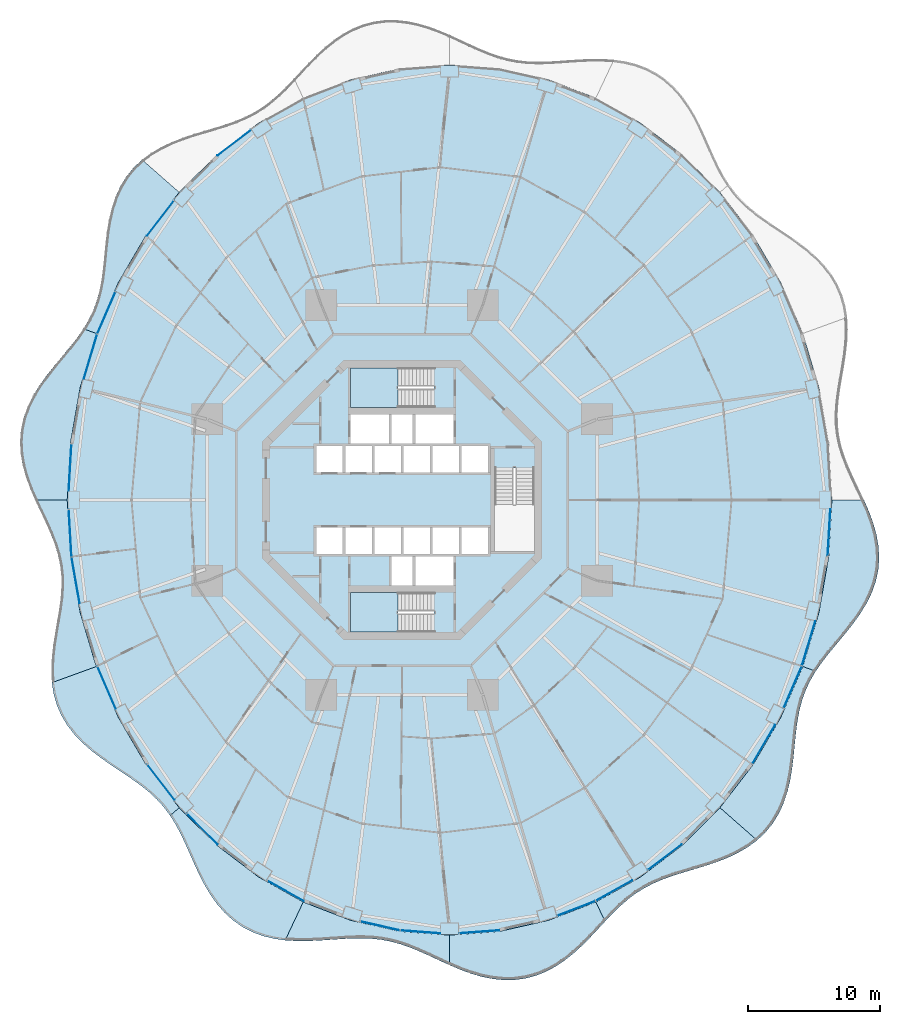
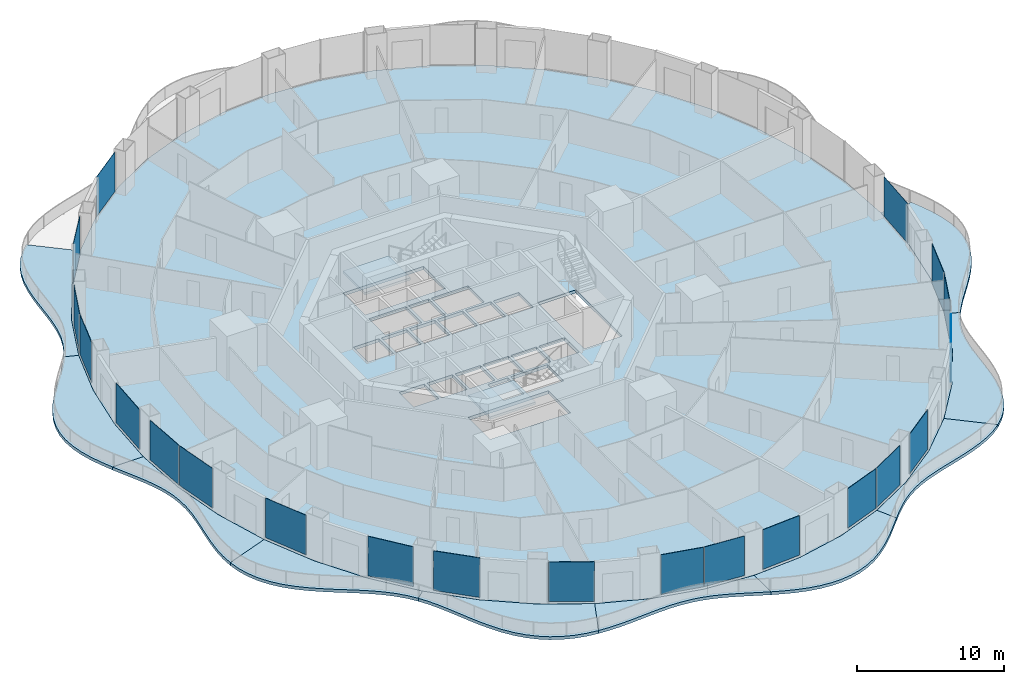
# One storey, part 12 of 22: 21 plates, 13 slabs, 23 elements without a shape of their own.
"""IFC4 building model written with IfcOpenShell, lengths in metres."""

from ifc_helpers import new_model, si_unit, direction, frame, origin, origin_2d, place, context, subcontext, project, spatial, polyline, rectangle, outline, extrude, material, layer, layer_set, type_object, element, aggregate, save


model = new_model("IFC4")

# Units and contexts
model_context = context("Model", 3, precision=1e-05, world=origin(), true_north=direction((0.0, 1.0)))
body_context = subcontext(model_context, "Body", "Model", "MODEL_VIEW")
ifc_project = project(units=[si_unit("LENGTHUNIT", "METRE"), si_unit("AREAUNIT", "SQUARE_METRE"), si_unit("VOLUMEUNIT", "CUBIC_METRE"), si_unit("PLANEANGLEUNIT", "RADIAN"), si_unit("MASSUNIT", "GRAM", prefix="KILO")], contexts=[model_context])

# Site, building, storey
site_placement = place(None, origin())
site = spatial("IfcSite", under=ifc_project, at=site_placement, CompositionType="ELEMENT")
building_placement = place(site_placement, origin())
building = spatial("IfcBuilding", under=site, at=building_placement, Name="Nagisa Residences", CompositionType="ELEMENT")
storey_placement = place(building_placement, frame((0.0, 0.0, 38.10009765625)))
storey = spatial("IfcBuildingStorey", under=building, at=storey_placement, Name="L08", CompositionType="ELEMENT", Elevation=38.10009765625)

# Slabs
ifc_material_1 = material(Name="Concrete C40/50", Category="concrete")
ifc_layer_1 = layer(ifc_material_1, 0.25)
ifc_layer_set_1 = layer_set([ifc_layer_1], Name="BALCONY SLAB 250")
slab_type_1 = type_object("IfcSlabType", Name="BALCONY SLAB 250", PredefinedType="FLOOR", material=ifc_layer_set_1)
slab_1_placement = place(storey_placement, frame((0.0, 0.0, -0.25)))
element("IfcSlab", 1, at=slab_1_placement, inside=storey, type_object=slab_type_1, Name="slab:L08:bal06", PredefinedType="FLOOR", context=body_context, shape_type="SweptSolid", body=[
    extrude(outline(polyline([(-19.719970703125, 25.807373046875), (-20.359375, 25.20361328125), (-20.9111328125, 24.52490234375), (-21.370849609375, 23.77734375), (-21.739501953125, 22.97021484375), (-22.022705078125, 22.11572265625), (-22.2314453125, 21.227783203125), (-22.381103515625, 20.321044921875), (-22.48974609375, 19.409912109375), (-22.578369140625, 18.507568359375), (-22.668212890625, 17.625), (-22.77978515625, 16.770263671875), (-22.931884765625, 15.94873046875), (-23.138916015625, 15.161865234375), (-23.411865234375, 14.40869140625), (-23.75537109375, 13.684814453125), (-24.169189453125, 12.984130859375), (-23.192626953125, 12.628662109375), (-21.5146484375, 16.5), (-19.4072265625, 20.089111328125), (-16.906005859375, 23.33447265625), (-19.719970703125, 25.807373046875)])), origin(), (0.0, 0.0, 1.0), 0.25),
])
slab_2_placement = place(storey_placement, frame((0.0, 0.0, -0.25)))
element("IfcSlab", 2, at=slab_2_placement, inside=storey, type_object=slab_type_1, Name="slab:L08:bal07", PredefinedType="FLOOR", context=body_context, shape_type="SweptSolid", body=[
    extrude(outline(polyline([(-24.169189453125, 12.984130859375), (-24.66259765625, 12.2763671875), (-25.210693359375, 11.57470703125), (-25.794921875, 10.869140625), (-26.392333984375, 10.150634765625), (-26.978515625, 9.41162109375), (-27.527099609375, 8.64697265625), (-28.013916015625, 7.853759765625), (-28.41650390625, 7.031982421875), (-28.718017578125, 6.183837890625), (-28.906005859375, 5.313720703125), (-28.975830078125, 4.427734375), (-28.928466796875, 3.532958984375), (-28.77294921875, 2.63671875), (-28.523681640625, 1.745849609375), (-28.200927734375, 0.865478515625), (-27.82861328125, 0.0), (-25.39990234375, 0.0), (-25.15185546875, 4.307373046875), (-24.411865234375, 8.541015625), (-23.192626953125, 12.628662109375), (-24.169189453125, 12.984130859375)])), origin(), (0.0, 0.0, 1.0), 0.25),
])
slab_3_placement = place(storey_placement, frame((0.0, 0.0, -0.25)))
element("IfcSlab", 3, at=slab_3_placement, inside=storey, type_object=slab_type_1, Name="slab:L08:bal08", PredefinedType="FLOOR", context=body_context, shape_type="SweptSolid", body=[
    extrude(outline(polyline([(-27.82861328125, 0.0), (-27.432373046875, -0.84912109375), (-27.0390625, -1.681884765625), (-26.67333984375, -2.50146484375), (-26.357421875, -3.3115234375), (-26.107666015625, -4.118408203125), (-25.935302734375, -4.92822265625), (-25.844970703125, -5.747802734375), (-25.833984375, -6.58251953125), (-25.892822265625, -7.43701171875), (-26.00634765625, -8.3134765625), (-26.154296875, -9.2119140625), (-26.31298828125, -10.12939453125), (-26.45654296875, -11.060791015625), (-26.559814453125, -11.998291015625), (-26.59912109375, -12.932373046875), (-26.553955078125, -13.85205078125), (-23.192626953125, -12.628662109375), (-24.411865234375, -8.541015625), (-25.15185546875, -4.307373046875), (-25.39990234375, 0.0), (-27.82861328125, 0.0)])), origin(), (0.0, 0.0, 1.0), 0.25),
])
slab_4_placement = place(storey_placement, frame((0.0, 0.0, -0.25)))
element("IfcSlab", 4, at=slab_4_placement, inside=storey, type_object=slab_type_1, Name="slab:L08:bal09", PredefinedType="FLOOR", context=body_context, shape_type="SweptSolid", body=[
    extrude(outline(polyline([(-26.553955078125, -13.85205078125), (-26.41552734375, -14.7197265625), (-26.174560546875, -15.554443359375), (-25.82861328125, -16.347900390625), (-25.380126953125, -17.094482421875), (-24.837646484375, -17.790283203125), (-24.21435546875, -18.435791015625), (-23.527587890625, -19.033447265625), (-22.797119140625, -19.589599609375), (-22.04443359375, -20.113525390625), (-21.290283203125, -20.616943359375), (-20.5546875, -21.11279296875), (-19.85400390625, -21.614990234375), (-19.201171875, -22.136962890625), (-18.604248046875, -22.691162109375), (-18.06640625, -23.287109375), (-17.585205078125, -23.931396484375), (-16.906005859375, -23.33447265625), (-19.4072265625, -20.089111328125), (-21.5146484375, -16.5), (-23.192626953125, -12.628662109375), (-26.553955078125, -13.85205078125)])), origin(), (0.0, 0.0, 1.0), 0.25),
])
slab_5_placement = place(storey_placement, frame((0.0, 0.0, -0.25)))
element("IfcSlab", 5, at=slab_5_placement, inside=storey, type_object=slab_type_1, Name="slab:L08:bal10", PredefinedType="FLOOR", context=body_context, shape_type="SweptSolid", body=[
    extrude(outline(polyline([(-17.585205078125, -23.931396484375), (-17.17333984375, -24.592529296875), (-16.797119140625, -25.29833984375), (-16.444091796875, -26.04345703125), (-16.100341796875, -26.819091796875), (-15.75048828125, -27.613037109375), (-15.379638671875, -28.41064453125), (-14.97412109375, -29.19580078125), (-14.5224609375, -29.951171875), (-14.01513671875, -30.659912109375), (-13.44677734375, -31.30615234375), (-12.8154296875, -31.876708984375), (-12.1220703125, -32.361572265625), (-11.371826171875, -32.754638671875), (-10.572021484375, -33.053955078125), (-9.732666015625, -33.2626953125), (-8.86474609375, -33.38818359375), (-7.497802734375, -30.488037109375), (-10.89990234375, -28.578857421875), (-14.05419921875, -26.1806640625), (-16.906005859375, -23.33447265625), (-17.585205078125, -23.931396484375)])), origin(), (0.0, 0.0, 1.0), 0.25),
])
slab_6_placement = place(storey_placement, frame((0.0, 0.0, -0.25)))
element("IfcSlab", 6, at=slab_6_placement, inside=storey, type_object=slab_type_1, Name="slab:L08:bal11", PredefinedType="FLOOR", context=body_context, shape_type="SweptSolid", body=[
    extrude(outline(polyline([(-8.86474609375, -33.38818359375), (-8.012451171875, -33.44140625), (-7.15478515625, -33.441650390625), (-6.30126953125, -33.4052734375), (-5.459716796875, -33.349365234375), (-4.6357421875, -33.29150390625), (-3.833251953125, -33.248779296875), (-3.05322265625, -33.236328125), (-2.29443359375, -33.266845703125), (-1.553466796875, -33.349365234375), (-0.825927734375, -33.4892578125), (-0.105712890625, -33.68701171875), (0.614013671875, -33.939208984375), (1.33935546875, -34.237060546875), (2.076171875, -34.569091796875), (2.828857421875, -34.919677734375), (3.60009765625, -35.271484375), (3.60009765625, -33.0), (-0.185302734375, -32.7177734375), (-3.90576171875, -31.87548828125), (-7.497802734375, -30.488037109375), (-8.86474609375, -33.38818359375)])), origin(), (0.0, 0.0, 1.0), 0.25),
])
slab_7_placement = place(storey_placement, frame((0.0, 0.0, -0.25)))
element("IfcSlab", 7, at=slab_7_placement, inside=storey, type_object=slab_type_1, Name="slab:L08:bal12", PredefinedType="FLOOR", context=body_context, shape_type="SweptSolid", body=[
    extrude(outline(polyline([(3.60009765625, -35.271484375), (4.390380859375, -35.60546875), (5.198974609375, -35.902587890625), (6.021728515625, -36.14453125), (6.85400390625, -36.315185546875), (7.68896484375, -36.401123046875), (8.519287109375, -36.392578125), (9.336669921875, -36.28466796875), (10.1337890625, -36.076171875), (10.904052734375, -35.770751953125), (11.642578125, -35.37646484375), (12.345947265625, -34.90478515625), (13.013427734375, -34.370849609375), (13.646728515625, -33.791259765625), (14.249755859375, -33.184326171875), (14.82861328125, -32.568115234375), (15.3916015625, -31.9599609375), (14.69775390625, -30.488037109375), (11.105712890625, -31.87548828125), (7.38525390625, -32.7177734375), (3.60009765625, -33.0), (3.60009765625, -35.271484375)])), origin(), (0.0, 0.0, 1.0), 0.25),
])
slab_8_placement = place(storey_placement, frame((0.0, 0.0, -0.25)))
element("IfcSlab", 8, at=slab_8_placement, inside=storey, type_object=slab_type_1, Name="slab:L08:bal13", PredefinedType="FLOOR", context=body_context, shape_type="SweptSolid", body=[
    extrude(outline(polyline([(15.3916015625, -31.9599609375), (15.96875, -31.354248046875), (16.549072265625, -30.78759765625), (17.14404296875, -30.270751953125), (17.76318359375, -29.80908203125), (18.4140625, -29.404052734375), (19.10205078125, -29.05224609375), (19.8291015625, -28.746337890625), (20.59423828125, -28.47509765625), (21.392333984375, -28.224853515625), (22.21484375, -27.980224609375), (23.050537109375, -27.72509765625), (23.885986328125, -27.44384765625), (24.7060546875, -27.1220703125), (25.494873046875, -26.74755859375), (26.237548828125, -26.311279296875), (26.919921875, -25.807373046875), (24.106201171875, -23.33447265625), (21.254150390625, -26.1806640625), (18.10009765625, -28.578857421875), (14.69775390625, -30.488037109375), (15.3916015625, -31.9599609375)])), origin(), (0.0, 0.0, 1.0), 0.25),
])
slab_9_placement = place(storey_placement, frame((0.0, 0.0, -0.25)))
element("IfcSlab", 9, at=slab_9_placement, inside=storey, type_object=slab_type_1, Name="slab:L08:bal14", PredefinedType="FLOOR", context=body_context, shape_type="SweptSolid", body=[
    extrude(outline(polyline([(26.919921875, -25.807373046875), (27.559326171875, -25.20361328125), (28.111083984375, -24.52490234375), (28.571044921875, -23.77734375), (28.939453125, -22.97021484375), (29.22265625, -22.11572265625), (29.431640625, -21.227783203125), (29.5810546875, -20.321044921875), (29.689697265625, -19.409912109375), (29.7783203125, -18.507568359375), (29.8681640625, -17.625), (29.97998046875, -16.770263671875), (30.1318359375, -15.94873046875), (30.3388671875, -15.161865234375), (30.61181640625, -14.40869140625), (30.955322265625, -13.684814453125), (31.369140625, -12.984130859375), (30.392578125, -12.628662109375), (28.71484375, -16.5), (26.607177734375, -20.089111328125), (24.106201171875, -23.33447265625), (26.919921875, -25.807373046875)])), origin(), (0.0, 0.0, 1.0), 0.25),
])
slab_10_placement = place(storey_placement, frame((0.0, 0.0, -0.25)))
element("IfcSlab", 10, at=slab_10_placement, inside=storey, type_object=slab_type_1, Name="slab:L08:bal15", PredefinedType="FLOOR", context=body_context, shape_type="SweptSolid", body=[
    extrude(outline(polyline([(31.369140625, -12.984130859375), (31.862548828125, -12.2763671875), (32.41064453125, -11.57470703125), (32.994873046875, -10.869140625), (33.592529296875, -10.150634765625), (34.178466796875, -9.41162109375), (34.727294921875, -8.64697265625), (35.2138671875, -7.853759765625), (35.61669921875, -7.031982421875), (35.91796875, -6.183837890625), (36.106201171875, -5.313720703125), (36.17578125, -4.427734375), (36.12841796875, -3.532958984375), (35.972900390625, -2.63671875), (35.7236328125, -1.745849609375), (35.40087890625, -0.865478515625), (35.028564453125, 0.0), (32.60009765625, 0.0), (32.351806640625, -4.307373046875), (31.61181640625, -8.541015625), (30.392578125, -12.628662109375), (31.369140625, -12.984130859375)])), origin(), (0.0, 0.0, 1.0), 0.25),
])

# Curtain wall, plate
ifc_material_2 = material(Name="Concrete-coloured aluminium curtain wall system", Category="concrete")
ifc_layer_2 = layer(ifc_material_2, 0.159912109375)
ifc_layer_set_2 = layer_set([ifc_layer_2], Name="CW1 CURTAIN WALL")
curtain_wall_type = type_object("IfcCurtainWallType", Name="CW1 CURTAIN WALL", PredefinedType="NOTDEFINED", material=ifc_layer_set_2)
curtain_wall_1_placement = place(storey_placement, origin())
curtain_wall_1 = element("IfcCurtainWall", 11, at=curtain_wall_1_placement, inside=storey, type_object=curtain_wall_type, Name="cw:CW1:L08:16", PredefinedType="NOTDEFINED")
ifc_material_3 = material(Name="Clear laminated glass", Category="glass")
ifc_layer_3 = layer(ifc_material_3, 0.028076171875)
ifc_layer_set_3 = layer_set([ifc_layer_3], Name="CW1 GLASS PANEL")
plate_type = type_object("IfcPlateType", Name="CW1 GLASS PANEL", PredefinedType="CURTAIN_PANEL", material=ifc_layer_set_3)
plate_1_placement = place(storey_placement, frame((-12.731201171875, 27.086181640625, 0.14990234375), z_axis=(0.0, 0.0, 1.0), x_axis=(-0.79603132756, -0.605255421737, 0.0)))
plate_1 = element("IfcPlate", 12, at=plate_1_placement, type_object=plate_type, Name="CW1 panel", PredefinedType="CURTAIN_PANEL", context=body_context, shape_type="SweptSolid", body=[
    extrude(rectangle(XDim=3.2021484375, YDim=0.028076171875, at=origin_2d()), origin(), (0.0, 0.0, 1.0), 3.2900390625),
])
aggregate(curtain_wall_1, [plate_1])

curtain_wall_2_placement = place(storey_placement, origin())
curtain_wall_2 = element("IfcCurtainWall", 13, at=curtain_wall_2_placement, inside=storey, type_object=curtain_wall_type, Name="cw:CW1:L08:18", PredefinedType="NOTDEFINED")
plate_2_placement = place(storey_placement, frame((-18.3251953125, 21.362060546875, 0.14990234375), z_axis=(0.0, 0.0, 1.0), x_axis=(-0.610429828235, -0.792070340816, 0.0)))
plate_2 = element("IfcPlate", 14, at=plate_2_placement, type_object=plate_type, Name="CW1 panel", PredefinedType="CURTAIN_PANEL", context=body_context, shape_type="SweptSolid", body=[
    extrude(rectangle(XDim=3.33740234375, YDim=0.028076171875, at=origin_2d()), origin(), (0.0, 0.0, 1.0), 3.2900390625),
])
aggregate(curtain_wall_2, [plate_2])

curtain_wall_3_placement = place(storey_placement, origin())
curtain_wall_3 = element("IfcCurtainWall", 15, at=curtain_wall_3_placement, inside=storey, type_object=curtain_wall_type, Name="cw:CW1:L08:20", PredefinedType="NOTDEFINED")
plate_3_placement = place(storey_placement, frame((-22.431396484375, 14.183837890625, 0.14990234375), z_axis=(0.0, 0.0, 1.0), x_axis=(-0.397635934147, -0.917543276295, 0.0)))
plate_3 = element("IfcPlate", 16, at=plate_3_placement, type_object=plate_type, Name="CW1 panel", PredefinedType="CURTAIN_PANEL", context=body_context, shape_type="SweptSolid", body=[
    extrude(rectangle(XDim=3.45947265625, YDim=0.028076171875, at=origin_2d()), origin(), (0.0, 0.0, 1.0), 3.2900390625),
])
aggregate(curtain_wall_3, [plate_3])

curtain_wall_4_placement = place(storey_placement, origin())
curtain_wall_4 = element("IfcCurtainWall", 17, at=curtain_wall_4_placement, inside=storey, type_object=curtain_wall_type, Name="cw:CW1:L08:21", PredefinedType="NOTDEFINED")
plate_4_placement = place(storey_placement, frame((-23.634033203125, 10.86865234375, 0.14990234375), z_axis=(0.0, 0.0, 1.0), x_axis=(-0.285860274038, -0.958271310082, 0.0)))
plate_4 = element("IfcPlate", 18, at=plate_4_placement, type_object=plate_type, Name="CW1 panel", PredefinedType="CURTAIN_PANEL", context=body_context, shape_type="SweptSolid", body=[
    extrude(rectangle(XDim=3.505615234375, YDim=0.028076171875, at=origin_2d()), origin(), (0.0, 0.0, 1.0), 3.2900390625),
])
aggregate(curtain_wall_4, [plate_4])

curtain_wall_5_placement = place(storey_placement, origin())
curtain_wall_5 = element("IfcCurtainWall", 19, at=curtain_wall_5_placement, inside=storey, type_object=curtain_wall_type, Name="cw:CW1:L08:23", PredefinedType="NOTDEFINED")
plate_5_placement = place(storey_placement, frame((-25.177734375, 2.468505859375, 0.14990234375), z_axis=(0.0, 0.0, 1.0), x_axis=(-0.057503492216, -0.998345305184, 0.0)))
plate_5 = element("IfcPlate", 20, at=plate_5_placement, type_object=plate_type, Name="CW1 panel", PredefinedType="CURTAIN_PANEL", context=body_context, shape_type="SweptSolid", body=[
    extrude(rectangle(XDim=3.554443359375, YDim=0.028076171875, at=origin_2d()), origin(), (0.0, 0.0, 1.0), 3.2900390625),
])
aggregate(curtain_wall_5, [plate_5])

curtain_wall_6_placement = place(storey_placement, origin())
curtain_wall_6 = element("IfcCurtainWall", 21, at=curtain_wall_6_placement, inside=storey, type_object=curtain_wall_type, Name="cw:CW1:L08:24", PredefinedType="NOTDEFINED")
plate_6_placement = place(storey_placement, frame((-25.17431640625, -2.528564453125, 0.14990234375), z_axis=(0.0, 0.0, 1.0), x_axis=(0.057503492216, -0.998345305184, 0.0)))
plate_6 = element("IfcPlate", 22, at=plate_6_placement, type_object=plate_type, Name="CW1 panel", PredefinedType="CURTAIN_PANEL", context=body_context, shape_type="SweptSolid", body=[
    extrude(rectangle(XDim=3.554443359375, YDim=0.028076171875, at=origin_2d()), origin(), (0.0, 0.0, 1.0), 3.2900390625),
])
aggregate(curtain_wall_6, [plate_6])

curtain_wall_7_placement = place(storey_placement, origin())
curtain_wall_7 = element("IfcCurtainWall", 23, at=curtain_wall_7_placement, inside=storey, type_object=curtain_wall_type, Name="cw:CW1:L08:25", PredefinedType="NOTDEFINED")
plate_7_placement = place(storey_placement, frame((-24.758056640625, -6.09521484375, 0.14990234375), z_axis=(0.0, 0.0, 1.0), x_axis=(0.172190868898, -0.985063604377, 0.0)))
plate_7 = element("IfcPlate", 24, at=plate_7_placement, type_object=plate_type, Name="CW1 panel", PredefinedType="CURTAIN_PANEL", context=body_context, shape_type="SweptSolid", body=[
    extrude(rectangle(XDim=3.537841796875, YDim=0.028076171875, at=origin_2d()), origin(), (0.0, 0.0, 1.0), 3.2900390625),
])
aggregate(curtain_wall_7, [plate_7])

curtain_wall_8_placement = place(storey_placement, origin())
curtain_wall_8 = element("IfcCurtainWall", 25, at=curtain_wall_8_placement, inside=storey, type_object=curtain_wall_type, Name="cw:CW1:L08:27", PredefinedType="NOTDEFINED")
plate_8_placement = place(storey_placement, frame((-22.407470703125, -14.23876953125, 0.14990234375), z_axis=(0.0, 0.0, 1.0), x_axis=(0.397635934147, -0.917543276295, 0.0)))
plate_8 = element("IfcPlate", 26, at=plate_8_placement, type_object=plate_type, Name="CW1 panel", PredefinedType="CURTAIN_PANEL", context=body_context, shape_type="SweptSolid", body=[
    extrude(rectangle(XDim=3.45947265625, YDim=0.028076171875, at=origin_2d()), origin(), (0.0, 0.0, 1.0), 3.2900390625),
])
aggregate(curtain_wall_8, [plate_8])

curtain_wall_9_placement = place(storey_placement, origin())
curtain_wall_9 = element("IfcCurtainWall", 27, at=curtain_wall_9_placement, inside=storey, type_object=curtain_wall_type, Name="cw:CW1:L08:29", PredefinedType="NOTDEFINED")
plate_9_placement = place(storey_placement, frame((-18.28857421875, -21.409423828125, 0.14990234375), z_axis=(0.0, 0.0, 1.0), x_axis=(0.610429828235, -0.792070340816, 0.0)))
plate_9 = element("IfcPlate", 28, at=plate_9_placement, type_object=plate_type, Name="CW1 panel", PredefinedType="CURTAIN_PANEL", context=body_context, shape_type="SweptSolid", body=[
    extrude(rectangle(XDim=3.33740234375, YDim=0.028076171875, at=origin_2d()), origin(), (0.0, 0.0, 1.0), 3.2900390625),
])
aggregate(curtain_wall_9, [plate_9])

curtain_wall_10_placement = place(storey_placement, origin())
curtain_wall_10 = element("IfcCurtainWall", 29, at=curtain_wall_10_placement, inside=storey, type_object=curtain_wall_type, Name="cw:CW1:L08:30", PredefinedType="NOTDEFINED")
plate_10_placement = place(storey_placement, frame((-15.154541015625, -24.969482421875, 0.14990234375), z_axis=(0.0, 0.0, 1.0), x_axis=(0.707835924016, -0.706376885714, 0.0)))
plate_10 = element("IfcPlate", 30, at=plate_10_placement, type_object=plate_type, Name="CW1 panel", PredefinedType="CURTAIN_PANEL", context=body_context, shape_type="SweptSolid", body=[
    extrude(rectangle(XDim=3.269287109375, YDim=0.028076171875, at=origin_2d()), origin(), (0.0, 0.0, 1.0), 3.2900390625),
])
aggregate(curtain_wall_10, [plate_10])

curtain_wall_11_placement = place(storey_placement, origin())
curtain_wall_11 = element("IfcCurtainWall", 31, at=curtain_wall_11_placement, inside=storey, type_object=curtain_wall_type, Name="cw:CW1:L08:32", PredefinedType="NOTDEFINED")
plate_11_placement = place(storey_placement, frame((-8.828369140625, -29.649658203125, 0.14990234375), z_axis=(0.0, 0.0, 1.0), x_axis=(0.872072377523, -0.489376918501, 0.0)))
plate_11 = element("IfcPlate", 32, at=plate_11_placement, type_object=plate_type, Name="CW1 panel", PredefinedType="CURTAIN_PANEL", context=body_context, shape_type="SweptSolid", body=[
    extrude(rectangle(XDim=3.141357421875, YDim=0.028076171875, at=origin_2d()), origin(), (0.0, 0.0, 1.0), 3.2900390625),
])
aggregate(curtain_wall_11, [plate_11])

curtain_wall_12_placement = place(storey_placement, origin())
curtain_wall_12 = element("IfcCurtainWall", 33, at=curtain_wall_12_placement, inside=storey, type_object=curtain_wall_type, Name="cw:CW1:L08:34", PredefinedType="NOTDEFINED")
plate_12_placement = place(storey_placement, frame((-1.6572265625, -32.302490234375, 0.14990234375), z_axis=(0.0, 0.0, 1.0), x_axis=(0.975327274089, -0.2207639201, 0.0)))
plate_12 = element("IfcPlate", 34, at=plate_12_placement, type_object=plate_type, Name="CW1 panel", PredefinedType="CURTAIN_PANEL", context=body_context, shape_type="SweptSolid", body=[
    extrude(rectangle(XDim=3.0546875, YDim=0.028076171875, at=origin_2d()), origin(), (0.0, 0.0, 1.0), 3.2900390625),
])
aggregate(curtain_wall_12, [plate_12])

curtain_wall_13_placement = place(storey_placement, origin())
curtain_wall_13 = element("IfcCurtainWall", 35, at=curtain_wall_13_placement, inside=storey, type_object=curtain_wall_type, Name="cw:CW1:L08:35", PredefinedType="NOTDEFINED")
plate_13_placement = place(storey_placement, frame((1.394287109375, -32.75537109375, 0.14990234375), z_axis=(0.0, 0.0, 1.0), x_axis=(0.997230168512, -0.074377355493, 0.0)))
plate_13 = element("IfcPlate", 36, at=plate_13_placement, type_object=plate_type, Name="CW1 panel", PredefinedType="CURTAIN_PANEL", context=body_context, shape_type="SweptSolid", body=[
    extrude(rectangle(XDim=3.035888671875, YDim=0.028076171875, at=origin_2d()), origin(), (0.0, 0.0, 1.0), 3.2900390625),
])
aggregate(curtain_wall_13, [plate_13])

curtain_wall_14_placement = place(storey_placement, origin())
curtain_wall_14 = element("IfcCurtainWall", 37, at=curtain_wall_14_placement, inside=storey, type_object=curtain_wall_type, Name="cw:CW1:L08:36", PredefinedType="NOTDEFINED")
plate_14_placement = place(storey_placement, frame((5.86572265625, -32.750732421875, 0.14990234375), z_axis=(0.0, 0.0, 1.0), x_axis=(0.997230168512, 0.074377355493, 0.0)))
plate_14 = element("IfcPlate", 38, at=plate_14_placement, type_object=plate_type, Name="CW1 panel", PredefinedType="CURTAIN_PANEL", context=body_context, shape_type="SweptSolid", body=[
    extrude(rectangle(XDim=3.035888671875, YDim=0.028076171875, at=origin_2d()), origin(), (0.0, 0.0, 1.0), 3.2900390625),
])
aggregate(curtain_wall_14, [plate_14])

curtain_wall_15_placement = place(storey_placement, origin())
curtain_wall_15 = element("IfcCurtainWall", 39, at=curtain_wall_15_placement, inside=storey, type_object=curtain_wall_type, Name="cw:CW1:L08:38", PredefinedType="NOTDEFINED")
plate_15_placement = place(storey_placement, frame((13.2275390625, -30.97021484375, 0.14990234375), z_axis=(0.0, 0.0, 1.0), x_axis=(0.932825759707, 0.360327770268, 0.0)))
plate_15 = element("IfcPlate", 40, at=plate_15_placement, type_object=plate_type, Name="CW1 panel", PredefinedType="CURTAIN_PANEL", context=body_context, shape_type="SweptSolid", body=[
    extrude(rectangle(XDim=3.0908203125, YDim=0.028076171875, at=origin_2d()), origin(), (0.0, 0.0, 1.0), 3.2900390625),
])
aggregate(curtain_wall_15, [plate_15])

curtain_wall_16_placement = place(storey_placement, origin())
curtain_wall_16 = element("IfcCurtainWall", 41, at=curtain_wall_16_placement, inside=storey, type_object=curtain_wall_type, Name="cw:CW1:L08:39", PredefinedType="NOTDEFINED")
plate_16_placement = place(storey_placement, frame((16.080810546875, -29.620361328125, 0.14990234375), z_axis=(0.0, 0.0, 1.0), x_axis=(0.872072377523, 0.489376918501, 0.0)))
plate_16 = element("IfcPlate", 42, at=plate_16_placement, type_object=plate_type, Name="CW1 panel", PredefinedType="CURTAIN_PANEL", context=body_context, shape_type="SweptSolid", body=[
    extrude(rectangle(XDim=3.141357421875, YDim=0.028076171875, at=origin_2d()), origin(), (0.0, 0.0, 1.0), 3.2900390625),
])
aggregate(curtain_wall_16, [plate_16])

curtain_wall_17_placement = place(storey_placement, origin())
curtain_wall_17 = element("IfcCurtainWall", 43, at=curtain_wall_17_placement, inside=storey, type_object=curtain_wall_type, Name="cw:CW1:L08:40", PredefinedType="NOTDEFINED")
plate_17_placement = place(storey_placement, frame((19.93115234375, -27.086181640625, 0.14990234375), z_axis=(0.0, 0.0, 1.0), x_axis=(0.79603132756, 0.605255421737, 0.0)))
plate_17 = element("IfcPlate", 44, at=plate_17_placement, type_object=plate_type, Name="CW1 panel", PredefinedType="CURTAIN_PANEL", context=body_context, shape_type="SweptSolid", body=[
    extrude(rectangle(XDim=3.2021484375, YDim=0.028076171875, at=origin_2d()), origin(), (0.0, 0.0, 1.0), 3.2900390625),
])
aggregate(curtain_wall_17, [plate_17])

curtain_wall_18_placement = place(storey_placement, origin())
curtain_wall_18 = element("IfcCurtainWall", 45, at=curtain_wall_18_placement, inside=storey, type_object=curtain_wall_type, Name="cw:CW1:L08:43", PredefinedType="NOTDEFINED")
plate_18_placement = place(storey_placement, frame((27.429931640625, -18.530029296875, 0.14990234375), z_axis=(0.0, 0.0, 1.0), x_axis=(0.506348567002, 0.862328898214, 0.0)))
plate_18 = element("IfcPlate", 46, at=plate_18_placement, type_object=plate_type, Name="CW1 panel", PredefinedType="CURTAIN_PANEL", context=body_context, shape_type="SweptSolid", body=[
    extrude(rectangle(XDim=3.402099609375, YDim=0.028076171875, at=origin_2d()), origin(), (0.0, 0.0, 1.0), 3.2900390625),
])
aggregate(curtain_wall_18, [plate_18])

curtain_wall_19_placement = place(storey_placement, origin())
curtain_wall_19 = element("IfcCurtainWall", 47, at=curtain_wall_19_placement, inside=storey, type_object=curtain_wall_type, Name="cw:CW1:L08:44", PredefinedType="NOTDEFINED")
plate_19_placement = place(storey_placement, frame((29.63134765625, -14.183837890625, 0.14990234375), z_axis=(0.0, 0.0, 1.0), x_axis=(0.397635934147, 0.917543276295, 0.0)))
plate_19 = element("IfcPlate", 48, at=plate_19_placement, type_object=plate_type, Name="CW1 panel", PredefinedType="CURTAIN_PANEL", context=body_context, shape_type="SweptSolid", body=[
    extrude(rectangle(XDim=3.45947265625, YDim=0.028076171875, at=origin_2d()), origin(), (0.0, 0.0, 1.0), 3.2900390625),
])
aggregate(curtain_wall_19, [plate_19])

curtain_wall_20_placement = place(storey_placement, origin())
curtain_wall_20 = element("IfcCurtainWall", 49, at=curtain_wall_20_placement, inside=storey, type_object=curtain_wall_type, Name="cw:CW1:L08:45", PredefinedType="NOTDEFINED")
plate_20_placement = place(storey_placement, frame((30.833984375, -10.86865234375, 0.14990234375), z_axis=(0.0, 0.0, 1.0), x_axis=(0.285860274038, 0.958271310082, 0.0)))
plate_20 = element("IfcPlate", 50, at=plate_20_placement, type_object=plate_type, Name="CW1 panel", PredefinedType="CURTAIN_PANEL", context=body_context, shape_type="SweptSolid", body=[
    extrude(rectangle(XDim=3.505615234375, YDim=0.028076171875, at=origin_2d()), origin(), (0.0, 0.0, 1.0), 3.2900390625),
])
aggregate(curtain_wall_20, [plate_20])

curtain_wall_21_placement = place(storey_placement, origin())
curtain_wall_21 = element("IfcCurtainWall", 51, at=curtain_wall_21_placement, inside=storey, type_object=curtain_wall_type, Name="cw:CW1:L08:47", PredefinedType="NOTDEFINED")
plate_21_placement = place(storey_placement, frame((32.377685546875, -2.468505859375, 0.14990234375), z_axis=(0.0, 0.0, 1.0), x_axis=(0.057503492216, 0.998345305184, 0.0)))
plate_21 = element("IfcPlate", 52, at=plate_21_placement, type_object=plate_type, Name="CW1 panel", PredefinedType="CURTAIN_PANEL", context=body_context, shape_type="SweptSolid", body=[
    extrude(rectangle(XDim=3.554443359375, YDim=0.028076171875, at=origin_2d()), origin(), (0.0, 0.0, 1.0), 3.2900390625),
])
aggregate(curtain_wall_21, [plate_21])

# Slab
ifc_material_4 = material(Name="Concrete C40", Category="concrete")
ifc_layer_4 = layer(ifc_material_4, 0.260009765625)
ifc_layer_set_4 = layer_set([ifc_layer_4], Name="Floor slab 260")
slab_type_2 = type_object("IfcSlabType", Name="Floor slab 260", PredefinedType="FLOOR", material=ifc_layer_set_4)
slab_11_placement = place(storey_placement, frame((0.0, 0.0, -0.260009765625)))
element("IfcSlab", 53, at=slab_11_placement, inside=storey, type_object=slab_type_2, Name="slab:L08:floor", PredefinedType="FLOOR", context=body_context, shape_type="SweptSolid", body=[
    extrude(outline(polyline([(32.60009765625, 0.0), (32.351806640625, 4.307373046875), (31.61181640625, 8.541015625), (30.392578125, 12.628662109375), (28.71484375, 16.5), (26.607177734375, 20.089111328125), (24.106201171875, 23.33447265625), (21.254150390625, 26.1806640625), (18.10009765625, 28.578857421875), (14.69775390625, 30.488037109375), (11.105712890625, 31.87548828125), (7.38525390625, 32.7177734375), (3.60009765625, 33.0), (-0.185302734375, 32.7177734375), (-3.90576171875, 31.87548828125), (-7.497802734375, 30.488037109375), (-10.89990234375, 28.578857421875), (-14.05419921875, 26.1806640625), (-16.906005859375, 23.33447265625), (-19.4072265625, 20.089111328125), (-21.5146484375, 16.5), (-23.192626953125, 12.628662109375), (-24.411865234375, 8.541015625), (-25.15185546875, 4.307373046875), (-25.39990234375, 0.0), (-25.15185546875, -4.307373046875), (-24.411865234375, -8.541015625), (-23.192626953125, -12.628662109375), (-21.5146484375, -16.5), (-19.4072265625, -20.089111328125), (-16.906005859375, -23.33447265625), (-14.05419921875, -26.1806640625), (-10.89990234375, -28.578857421875), (-7.497802734375, -30.488037109375), (-3.90576171875, -31.87548828125), (-0.185302734375, -32.7177734375), (3.60009765625, -33.0), (7.38525390625, -32.7177734375), (11.105712890625, -31.87548828125), (14.69775390625, -30.488037109375), (18.10009765625, -28.578857421875), (21.254150390625, -26.1806640625), (24.106201171875, -23.33447265625), (26.607177734375, -20.089111328125), (28.71484375, -16.5), (30.392578125, -12.628662109375), (31.61181640625, -8.541015625), (32.351806640625, -4.307373046875), (32.60009765625, 0.0)]), holes=[polyline([(-4.5, 2.10009765625), (-4.5, 4.10009765625), (-6.5, 4.10009765625), (-6.5, 2.10009765625), (-4.5, 2.10009765625)]), polyline([(-2.300048828125, 2.10009765625), (-2.300048828125, 4.10009765625), (-4.300048828125, 4.10009765625), (-4.300048828125, 2.10009765625), (-2.300048828125, 2.10009765625)]), polyline([(-0.10009765625, 2.10009765625), (-0.10009765625, 4.10009765625), (-2.10009765625, 4.10009765625), (-2.10009765625, 2.10009765625), (-0.10009765625, 2.10009765625)]), polyline([(2.10009765625, 2.10009765625), (2.10009765625, 4.10009765625), (0.10009765625, 4.10009765625), (0.10009765625, 2.10009765625), (2.10009765625, 2.10009765625)]), polyline([(4.300048828125, 2.10009765625), (4.300048828125, 4.10009765625), (2.300048828125, 4.10009765625), (2.300048828125, 2.10009765625), (4.300048828125, 2.10009765625)]), polyline([(6.5, 2.10009765625), (6.5, 4.10009765625), (4.5, 4.10009765625), (4.5, 2.10009765625), (6.5, 2.10009765625)]), polyline([(-4.5, -4.10009765625), (-4.5, -2.10009765625), (-6.5, -2.10009765625), (-6.5, -4.10009765625), (-4.5, -4.10009765625)]), polyline([(-2.300048828125, -4.10009765625), (-2.300048828125, -2.10009765625), (-4.300048828125, -2.10009765625), (-4.300048828125, -4.10009765625), (-2.300048828125, -4.10009765625)]), polyline([(-0.10009765625, -4.10009765625), (-0.10009765625, -2.10009765625), (-2.10009765625, -2.10009765625), (-2.10009765625, -4.10009765625), (-0.10009765625, -4.10009765625)]), polyline([(2.10009765625, -4.10009765625), (2.10009765625, -2.10009765625), (0.10009765625, -2.10009765625), (0.10009765625, -4.10009765625), (2.10009765625, -4.10009765625)]), polyline([(4.300048828125, -4.10009765625), (4.300048828125, -2.10009765625), (2.300048828125, -2.10009765625), (2.300048828125, -4.10009765625), (4.300048828125, -4.10009765625)]), polyline([(6.5, -4.10009765625), (6.5, -2.10009765625), (4.5, -2.10009765625), (4.5, -4.10009765625), (6.5, -4.10009765625)]), polyline([(3.89990234375, 4.300048828125), (3.89990234375, 6.5), (1.0, 6.5), (1.0, 4.300048828125), (3.89990234375, 4.300048828125)]), polyline([(3.89990234375, -6.5), (3.89990234375, -4.300048828125), (1.0, -4.300048828125), (1.0, -6.5), (3.89990234375, -6.5)]), polyline([(-1.0, 4.300048828125), (-1.0, 6.5), (-3.89990234375, 6.5), (-3.89990234375, 4.300048828125), (-1.0, 4.300048828125)]), polyline([(0.800048828125, 4.300048828125), (0.800048828125, 6.5), (-0.800048828125, 6.5), (-0.800048828125, 4.300048828125), (0.800048828125, 4.300048828125)]), polyline([(0.800048828125, -6.5), (0.800048828125, -4.300048828125), (-0.800048828125, -4.300048828125), (-0.800048828125, -6.5), (0.800048828125, -6.5)]), polyline([(10.024658203125, -3.89990234375), (7.024658203125, -3.89990234375), (7.024658203125, 2.425048828125), (10.024658203125, 2.425048828125), (10.024658203125, -3.89990234375)]), polyline([(-3.89990234375, 7.024658203125), (-3.89990234375, 10.024658203125), (2.425048828125, 10.024658203125), (2.425048828125, 7.024658203125), (-3.89990234375, 7.024658203125)]), polyline([(-3.89990234375, -10.024658203125), (-3.89990234375, -7.024658203125), (2.425048828125, -7.024658203125), (2.425048828125, -10.024658203125), (-3.89990234375, -10.024658203125)])]), origin(), (0.0, 0.0, 1.0), 0.260009765625),
])

# Stair, slab
ifc_material_5 = material(Name="Concrete C60", Category="concrete")
stair_type = type_object("IfcStairType", Name="Exit stair", PredefinedType="HALF_TURN_STAIR", material=ifc_material_5)
stair_1_placement = place(storey_placement, origin())
stair_1 = element("IfcStair", 54, at=stair_1_placement, inside=storey, type_object=stair_type, Name="L08 Exit stair N", PredefinedType="HALF_TURN_STAIR")
ifc_material_6 = material(Name="Concrete C60", Category="concrete")
ifc_layer_5 = layer(ifc_material_6, 0.199951171875)
ifc_layer_set_5 = layer_set([ifc_layer_5], Name="Stair landing")
slab_type_3 = type_object("IfcSlabType", Name="Stair landing", PredefinedType="LANDING", material=ifc_layer_set_5)
slab_12_placement = place(storey_placement, frame((0.0, 0.0, 1.64990234375)))
slab_12 = element("IfcSlab", 55, at=slab_12_placement, type_object=slab_type_3, Name="ST-N landing 1", PredefinedType="LANDING", context=body_context, shape_type="SweptSolid", body=[
    extrude(outline(polyline([(-0.324951171875, 10.024658203125), (-3.89990234375, 10.024658203125), (-3.89990234375, 7.024658203125), (-0.324951171875, 7.024658203125), (-0.324951171875, 10.024658203125)])), origin(), (0.0, 0.0, 1.0), 0.199951171875),
])
aggregate(stair_1, [slab_12])

stair_2_placement = place(storey_placement, origin())
stair_2 = element("IfcStair", 56, at=stair_2_placement, inside=storey, type_object=stair_type, Name="L08 Exit stair S", PredefinedType="HALF_TURN_STAIR")
slab_13_placement = place(storey_placement, frame((0.0, 0.0, 1.64990234375)))
slab_13 = element("IfcSlab", 57, at=slab_13_placement, type_object=slab_type_3, Name="ST-S landing 1", PredefinedType="LANDING", context=body_context, shape_type="SweptSolid", body=[
    extrude(outline(polyline([(-0.324951171875, -7.024658203125), (-3.89990234375, -7.024658203125), (-3.89990234375, -10.024658203125), (-0.324951171875, -10.024658203125), (-0.324951171875, -7.024658203125)])), origin(), (0.0, 0.0, 1.0), 0.199951171875),
])
aggregate(stair_2, [slab_13])

save(model, "model.ifc")
